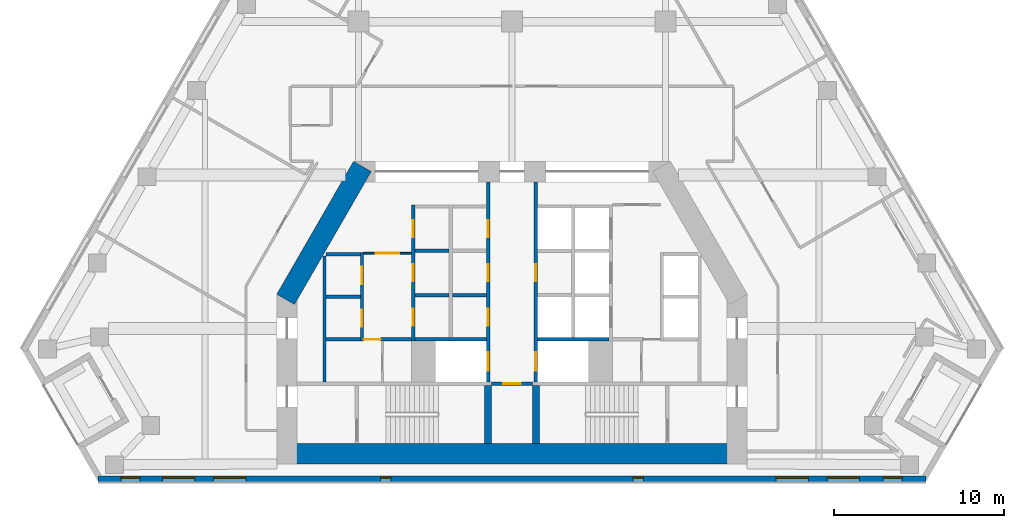
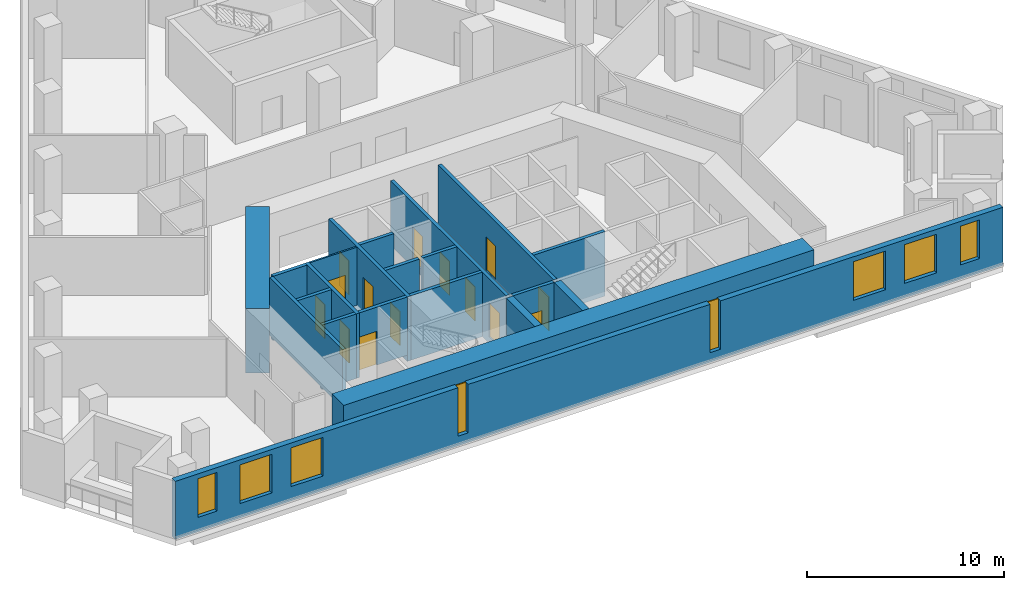
# One storey, part 3 of 8: 21 walls, 14 doors, 8 windows, 22 openings.
"""IFC4 building model written with IfcOpenShell, lengths in metres."""

import ifcopenshell
import ifcopenshell.guid

model = None  # the IFC model being written
_history = None  # IfcOwnerHistory: only IFC2X3 demands one
_inside = {}  # id of a spatial element -> (the spatial element, [elements in it])
_under = {}  # id of a project, library or spatial element -> (it, [spatial elements below it])
_declared = {}  # id of a project -> (the project, [libraries it declares])
_typed = {}  # id of a type object -> (the type object, [elements of that type])
_made_of = {}  # id of a material, layer set ... -> (it, [elements and type objects made of it])


def new_model(schema):
    """Start an empty IFC model of exactly this schema.

    Asked for "IFC4X3", IfcOpenShell would pick the latest addendum, in which some entities
    have other attributes; the version numbers below select the first issue.
    IFC2X3 requires an IfcOwnerHistory on every rooted entity: one is made here for all.
    """
    global model, _history
    if schema == "IFC4X3":
        model = ifcopenshell.file(schema_version=(4, 3, 0, 0))
    else:
        model = ifcopenshell.file(schema=schema)
    _inside.clear()
    _under.clear()
    _declared.clear()
    _typed.clear()
    _made_of.clear()
    _history = None
    if model.schema == "IFC2X3":
        org = make("IfcOrganization", Name="unknown")
        user = make(
            "IfcPersonAndOrganization",
            ThePerson=make("IfcPerson", FamilyName="unknown"),
            TheOrganization=org,
        )
        app = make(
            "IfcApplication",
            ApplicationDeveloper=org,
            Version="unknown",
            ApplicationFullName="unknown",
            ApplicationIdentifier="unknown",
        )
        _history = make(
            "IfcOwnerHistory",
            OwningUser=user,
            OwningApplication=app,
            ChangeAction="ADDED",
            CreationDate=0,
        )
    return model


def make(cls, **values):
    """One entity of the class cls with the attributes given. An attribute that is None is left unset."""
    return model.create_entity(
        cls, **{name: value for name, value in values.items() if value is not None}
    )


def rooted(cls, **values):
    """An entity with a GlobalId (a new one), such as an element, a storey or a relation."""
    return make(cls, GlobalId=ifcopenshell.guid.new(), OwnerHistory=_history, **values)


def si_unit(unit_type, name, prefix=None):
    """IfcSIUnit, for example si_unit("LENGTHUNIT", "METRE", prefix="MILLI")."""
    return make("IfcSIUnit", UnitType=unit_type, Prefix=prefix, Name=name)


def assignment(units):
    """IfcUnitAssignment: the units of a project."""
    return None if units is None else make("IfcUnitAssignment", Units=units)


def point(xyz):
    """IfcCartesianPoint."""
    return None if xyz is None else make("IfcCartesianPoint", Coordinates=xyz)


def direction(xyz):
    """IfcDirection."""
    return None if xyz is None else make("IfcDirection", DirectionRatios=xyz)


def frame(location, z_axis=None, x_axis=None):
    """IfcAxis2Placement3D, a coordinate frame: its origin and axes. An axis left out is left unset."""
    return make(
        "IfcAxis2Placement3D",
        Location=point(location),
        Axis=direction(z_axis),
        RefDirection=direction(x_axis),
    )


def frame_2d(location, x_axis=None):
    """IfcAxis2Placement2D, a coordinate frame in the plane: its origin and x axis."""
    return make(
        "IfcAxis2Placement2D", Location=point(location), RefDirection=direction(x_axis)
    )


def origin():
    """The frame at (0, 0, 0) with its axes left unset."""
    return frame((0.0, 0.0, 0.0))


def place(relative_to, where):
    """IfcLocalPlacement: puts the frame where relative to a parent placement (None: the world)."""
    return make(
        "IfcLocalPlacement", PlacementRelTo=relative_to, RelativePlacement=where
    )


def context(
    kind, dimensions, precision=None, world=None, true_north=None, identifier=None
):
    """IfcGeometricRepresentationContext, for example the 3D "Model" context."""
    return make(
        "IfcGeometricRepresentationContext",
        ContextIdentifier=identifier,
        ContextType=kind,
        CoordinateSpaceDimension=dimensions,
        Precision=precision,
        WorldCoordinateSystem=world,
        TrueNorth=true_north,
    )


def subcontext(parent, identifier, kind, view, scale=None):
    """IfcGeometricRepresentationSubContext, for example "Body" below "Model"."""
    return make(
        "IfcGeometricRepresentationSubContext",
        ContextIdentifier=identifier,
        ContextType=kind,
        ParentContext=parent,
        TargetScale=scale,
        TargetView=view,
    )


def project(units=None, contexts=None):
    """IfcProject with its units and contexts."""
    return rooted(
        "IfcProject",
        Name="project",
        RepresentationContexts=contexts,
        UnitsInContext=assignment(units),
    )


def spatial(cls, under=None, at=None, **own):
    """A site, building, storey or space (cls), placed at a placement, below another one or the project."""
    s = rooted(cls, ObjectPlacement=at, **own)
    if under is not None:
        _under.setdefault(under.id(), (under, []))[1].append(s)
    return s


def profile(cls, at=None, kind="AREA", **sizes):
    """A parametric profile (cls). Its sizes go by their IFC names, for example OverallWidth=200.0."""
    return make(cls, ProfileType=kind, Position=at, **sizes)


def rectangle(**sizes):
    """IfcRectangleProfileDef."""
    return profile("IfcRectangleProfileDef", **sizes)


def extrude(swept, where, along, depth):
    """IfcExtrudedAreaSolid: the profile swept, set in the frame where, extruded along a direction by depth."""
    return make(
        "IfcExtrudedAreaSolid",
        SweptArea=swept,
        Position=where,
        ExtrudedDirection=direction(along),
        Depth=depth,
    )


def shape(context_of_items, identifier, shape_type, items):
    """IfcShapeRepresentation: the items that make up one representation, for example the "Body"."""
    return make(
        "IfcShapeRepresentation",
        ContextOfItems=context_of_items,
        RepresentationIdentifier=identifier,
        RepresentationType=shape_type,
        Items=items,
    )


def material(Name=None, Category=None):
    """IfcMaterial."""
    return make("IfcMaterial", Name=Name, Category=Category)


def layer(
    of_material, thickness, ventilated=None, Name=None, Category=None, Priority=None
):
    """IfcMaterialLayer: one layer of a wall or slab, of a material (None: an air gap)."""
    return make(
        "IfcMaterialLayer",
        Material=of_material,
        LayerThickness=thickness,
        IsVentilated=ventilated,
        Name=Name,
        Category=Category,
        Priority=Priority,
    )


def layer_set(layers, Name=None):
    """IfcMaterialLayerSet."""
    return make("IfcMaterialLayerSet", MaterialLayers=layers, LayerSetName=Name)


def made_of(thing, what):
    """Note that an element or type object is made of a material, layer set ...; save() writes the relation."""
    if what is not None:
        _made_of.setdefault(what.id(), (what, []))[1].append(thing)
    return thing


def type_object(cls, material=None, **own):
    """A type object (cls), such as IfcWallType, which elements share."""
    return made_of(rooted(cls, **own), material)


def element(
    cls,
    number,
    at=None,
    inside=None,
    cuts=None,
    type_object=None,
    material=None,
    context=None,
    identifier="Body",
    shape_type=None,
    held_by="IfcProductDefinitionShape",
    body=None,
    shapes=None,
    **own,
):
    """One element of the class cls, such as IfcWall. Its Tag is "e" and its number.

    at: its placement. inside: the storey or other place that contains it. cuts: it is an
    opening in that element (IfcRelVoidsElement). A single representation is given by context,
    identifier, shape_type and body (its items); several are given by shapes. held_by: the class
    of the entity that holds the representations. save() writes the other relations.
    """
    e = rooted(cls, Tag="e%d" % number, ObjectPlacement=at, **own)
    if body is not None:
        shapes = [shape(context, identifier, shape_type, body)]
    if shapes is not None:
        e.Representation = make(held_by, Representations=shapes)
    if inside is not None:
        _inside.setdefault(inside.id(), (inside, []))[1].append(e)
    if cuts is not None:
        rooted(
            "IfcRelVoidsElement", RelatingBuildingElement=cuts, RelatedOpeningElement=e
        )
    if type_object is not None:
        _typed.setdefault(type_object.id(), (type_object, []))[1].append(e)
    return made_of(e, material)


def fill(opening, filler):
    """IfcRelFillsElement: the door or window that sits in an opening."""
    return rooted(
        "IfcRelFillsElement",
        RelatingOpeningElement=opening,
        RelatedBuildingElement=filler,
    )


def aggregate(whole, parts):
    """IfcRelAggregates: a whole, such as a stair, and the parts it consists of."""
    return rooted("IfcRelAggregates", RelatingObject=whole, RelatedObjects=parts)


def save(model, path):
    """Write the relations noted so far, then the file.

    IfcRelAggregates (storeys below a building ...), IfcRelContainedInSpatialStructure (elements
    in a storey), IfcRelDefinesByType, IfcRelAssociatesMaterial and IfcRelDeclares: one each for
    every whole, place, type object, material and project.
    """
    for whole, parts in _under.values():
        aggregate(whole, parts)
    for where, things in _inside.values():
        rooted(
            "IfcRelContainedInSpatialStructure",
            RelatedElements=things,
            RelatingStructure=where,
        )
    for kind, things in _typed.values():
        rooted("IfcRelDefinesByType", RelatedObjects=things, RelatingType=kind)
    for what, things in _made_of.values():
        rooted("IfcRelAssociatesMaterial", RelatedObjects=things, RelatingMaterial=what)
    for by, libraries in _declared.values():
        rooted("IfcRelDeclares", RelatingContext=by, RelatedDefinitions=libraries)
    model.write(path)


model = new_model("IFC4")

# Units and contexts
model_context = context("Model", 3, precision=1e-05, world=origin(), true_north=direction((0.0, 1.0)))
body_context = subcontext(model_context, "Body", "Model", "MODEL_VIEW")
ifc_project = project(units=[si_unit("LENGTHUNIT", "METRE"), si_unit("AREAUNIT", "SQUARE_METRE"), si_unit("VOLUMEUNIT", "CUBIC_METRE"), si_unit("PLANEANGLEUNIT", "RADIAN"), si_unit("MASSUNIT", "GRAM", prefix="KILO")], contexts=[model_context])

# Site, building, storey
site_placement = place(None, origin())
site = spatial("IfcSite", under=ifc_project, at=site_placement, CompositionType="ELEMENT")
building_placement = place(site_placement, origin())
building = spatial("IfcBuilding", under=site, at=building_placement, Name="Fogline Exchange Tower", CompositionType="ELEMENT")
storey_placement = place(building_placement, frame((0.0, 0.0, 154.89990234375)))
storey = spatial("IfcBuildingStorey", under=building, at=storey_placement, Name="L34", CompositionType="ELEMENT", Elevation=154.89990234375)

# Wall, opening, door
ifc_material_1 = material(Name="Blockwork partition", Category="masonry")
ifc_layer_1 = layer(ifc_material_1, 0.10009765625)
ifc_layer_set_1 = layer_set([ifc_layer_1], Name="CW10")
wall_type_1 = type_object("IfcWallType", Name="CW10", PredefinedType="PARTITIONING", material=ifc_layer_set_1)
wall_1_placement = place(storey_placement, frame((-8.699951171875, 13.39990234375, 0.0), z_axis=(0.0, 0.0, 1.0), x_axis=(1.0, 0.0, 0.0)))
wall_1 = element("IfcWall", 1, at=wall_1_placement, inside=storey, type_object=wall_type_1, Name="Lift lobby partition", PredefinedType="PARTITIONING", context=body_context, shape_type="SweptSolid", body=[
    extrude(rectangle(XDim=2.800048828125, YDim=0.10009765625, at=frame_2d((1.39990234375, 0.0))), origin(), (0.0, 0.0, 1.0), 3.60009765625),
])
opening_1_placement = place(wall_1_placement, frame((0.699951171875, 0.0, 0.0)))
opening_1 = element("IfcOpeningElement", 2, at=opening_1_placement, cuts=wall_1, Name="Opening T11-C011", PredefinedType="OPENING", context=body_context, shape_type="SweptSolid", body=[
    extrude(rectangle(XDim=1.39990234375, YDim=2.10009765625, at=frame_2d((0.699951171875, 1.050048828125))), frame((0.0, 0.06005859375, 0.0), z_axis=(0.0, -1.0, 0.0), x_axis=(1.0, 0.0, 0.0)), (0.0, 0.0, 1.0), 0.1201171875),
])
ifc_material_2 = material(Name="Steel and timber fire door", Category="steel")
door_type_1 = type_object("IfcDoorType", Name="D-LB1", OperationType="DOUBLE_DOOR_SINGLE_SWING", PredefinedType="DOOR", material=ifc_material_2)
door_1_placement = place(opening_1_placement, frame((1.39990234375, 0.0, 0.0), z_axis=(0.0, 0.0, 1.0), x_axis=(-1.0, 0.0, 0.0)))
door_1 = element("IfcDoor", 3, at=door_1_placement, inside=storey, type_object=door_type_1, Name="Door to lift lobby", OperationType="DOUBLE_DOOR_SINGLE_SWING", OverallHeight=2.10009765625, OverallWidth=1.39990234375, PredefinedType="DOOR", context=body_context, shape_type="SweptSolid", body=[
    extrude(rectangle(XDim=1.39990234375, YDim=2.10009765625, at=frame_2d((0.699951171875, 1.050048828125))), frame((0.0, 0.02490234375, 0.0), z_axis=(0.0, -1.0, 0.0), x_axis=(1.0, 0.0, 0.0)), (0.0, 0.0, 1.0), 0.050048828125),
])
fill(opening_1, door_1)

# Walls
ifc_material_3 = material(Name="Concrete C40", Category="concrete")
ifc_layer_2 = layer(ifc_material_3, 0.199951171875)
ifc_layer_set_2 = layer_set([ifc_layer_2], Name="CW20")
wall_type_2 = type_object("IfcWallType", Name="CW20", PredefinedType="SOLIDWALL", material=ifc_layer_set_2)
wall_2_placement = place(storey_placement, frame((-11.0, 5.85009765625, 0.0), z_axis=(0.0, 0.0, 1.0), x_axis=(0.0, 1.0, 0.0)))
element("IfcWall", 4, at=wall_2_placement, inside=storey, type_object=wall_type_2, Name="Service room wall", PredefinedType="SOLIDWALL", context=body_context, shape_type="SweptSolid", body=[
    extrude(rectangle(XDim=7.39990234375, YDim=0.199951171875, at=frame_2d((3.699951171875, 0.0))), origin(), (0.0, 0.0, 1.0), 3.60009765625),
])
for number, where, z_axis, x_axis, name in (
    (5, (-10.89990234375, 10.85009765625, 0.0), (0.0, 0.0, 1.0), (1.0, 0.0, 0.0), "Service room wall"),
    (6, (-5.699951171875, 10.949951171875, 0.0), (0.0, 0.0, 1.0), (1.0, 0.0, 0.0), "Service room wall"),
    (7, (-5.699951171875, 13.550048828125, 0.0), (0.0, 0.0, 1.0), (1.0, 0.0, 0.0), "Service room wall"),
    (8, (-3.5, 10.949951171875, 0.0), (0.0, 0.0, 1.0), (1.0, 0.0, 0.0), "Service room wall"),
):
    element("IfcWall", number, at=place(storey_placement, frame(where, z_axis=z_axis, x_axis=x_axis)), inside=storey, type_object=wall_type_2, Name=name, PredefinedType="SOLIDWALL", context=body_context, shape_type="SweptSolid", body=[
        extrude(rectangle(XDim=2.0, YDim=0.199951171875, at=frame_2d((1.0, 0.0))), origin(), (0.0, 0.0, 1.0), 3.60009765625),
    ])

# Wall, opening, door
wall_3_placement = place(storey_placement, frame((-8.699951171875, 8.35009765625, 0.0), z_axis=(0.0, 0.0, 1.0), x_axis=(1.0, 0.0, 0.0)))
wall_3 = element("IfcWall", 9, at=wall_3_placement, inside=storey, type_object=wall_type_2, Name="WC wall", PredefinedType="SOLIDWALL", context=body_context, shape_type="SweptSolid", body=[
    extrude(rectangle(XDim=2.800048828125, YDim=0.199951171875, at=frame_2d((1.39990234375, 0.0))), origin(), (0.0, 0.0, 1.0), 3.60009765625),
])
opening_2_placement = place(wall_3_placement, origin())
opening_2 = element("IfcOpeningElement", 10, at=opening_2_placement, cuts=wall_3, Name="Opening T11-C012", PredefinedType="OPENING", context=body_context, shape_type="SweptSolid", body=[
    extrude(rectangle(XDim=1.0, YDim=2.10009765625, at=frame_2d((0.5, 1.050048828125))), frame((0.0, 0.10986328125, 0.0), z_axis=(0.0, -1.0, 0.0), x_axis=(1.0, 0.0, 0.0)), (0.0, 0.0, 1.0), 0.219970703125),
])
door_type_2 = type_object("IfcDoorType", Name="D-WC1", OperationType="SINGLE_SWING_LEFT", PredefinedType="DOOR", material=ifc_material_2)
door_2_placement = place(opening_2_placement, frame((1.0, 0.0, 0.0), z_axis=(0.0, 0.0, 1.0), x_axis=(-1.0, 0.0, 0.0)))
door_2 = element("IfcDoor", 11, at=door_2_placement, inside=storey, type_object=door_type_2, Name="Door to Men's WC", OperationType="SINGLE_SWING_LEFT", OverallHeight=2.10009765625, OverallWidth=1.0, PredefinedType="DOOR", context=body_context, shape_type="SweptSolid", body=[
    extrude(rectangle(XDim=1.0, YDim=2.10009765625, at=frame_2d((0.5, 1.050048828125))), frame((0.0, 0.02490234375, 0.0), z_axis=(0.0, -1.0, 0.0), x_axis=(1.0, 0.0, 0.0)), (0.0, 0.0, 1.0), 0.050048828125),
])
fill(opening_2, door_2)

ifc_layer_3 = layer(ifc_material_3, 0.199951171875)
ifc_layer_set_3 = layer_set([ifc_layer_3], Name="CW20R")
wall_type_3 = type_object("IfcWallType", Name="CW20R", PredefinedType="SOLIDWALL", material=ifc_layer_set_3)
wall_4_placement = place(storey_placement, frame((-1.199951171875, 5.75, -0.39990234375), z_axis=(0.0, 0.0, 1.0), x_axis=(1.0, 0.0, 0.0)))
wall_4 = element("IfcWall", 12, at=wall_4_placement, inside=storey, type_object=wall_type_3, Name="Stair enclosure wall", PredefinedType="SOLIDWALL", context=body_context, shape_type="SweptSolid", body=[
    extrude(rectangle(XDim=2.39990234375, YDim=0.199951171875, at=frame_2d((1.199951171875, 0.0))), origin(), (0.0, 0.0, 1.0), 4.0),
])
opening_3_placement = place(wall_4_placement, frame((0.699951171875, 0.0, 0.39990234375)))
opening_3 = element("IfcOpeningElement", 13, at=opening_3_placement, cuts=wall_4, Name="Opening T11-C010", PredefinedType="OPENING", context=body_context, shape_type="SweptSolid", body=[
    extrude(rectangle(XDim=1.0, YDim=2.10009765625, at=frame_2d((0.5, 1.050048828125))), frame((0.0, 0.10986328125, 0.0), z_axis=(0.0, -1.0, 0.0), x_axis=(1.0, 0.0, 0.0)), (0.0, 0.0, 1.0), 0.219970703125),
])
door_type_3 = type_object("IfcDoorType", Name="D-RM1", OperationType="SINGLE_SWING_LEFT", PredefinedType="DOOR", material=ifc_material_2)
door_3_placement = place(opening_3_placement, frame((1.0, 0.0, 0.0), z_axis=(0.0, 0.0, 1.0), x_axis=(-1.0, 0.0, 0.0)))
door_3 = element("IfcDoor", 14, at=door_3_placement, inside=storey, type_object=door_type_3, Name="Door to Library Store", OperationType="SINGLE_SWING_RIGHT", OverallHeight=2.10009765625, OverallWidth=1.0, PredefinedType="DOOR", context=body_context, shape_type="SweptSolid", body=[
    extrude(rectangle(XDim=1.0, YDim=2.10009765625, at=frame_2d((0.5, 1.050048828125))), frame((0.0, 0.02490234375, 0.0), z_axis=(0.0, -1.0, 0.0), x_axis=(1.0, 0.0, 0.0)), (0.0, 0.0, 1.0), 0.050048828125),
])
fill(opening_3, door_3)

# Wall, openings, doors
ifc_layer_4 = layer(ifc_material_3, 0.199951171875)
ifc_layer_set_4 = layer_set([ifc_layer_4], Name="CW20S")
wall_type_4 = type_object("IfcWallType", Name="CW20S", PredefinedType="SOLIDWALL", material=ifc_layer_set_4)
wall_5_placement = place(storey_placement, frame((-8.800048828125, 8.25, -0.39990234375), z_axis=(0.0, 0.0, 1.0), x_axis=(0.0, 1.0, 0.0)))
wall_5 = element("IfcWall", 15, at=wall_5_placement, inside=storey, type_object=wall_type_4, Name="Lift shaft wall", PredefinedType="SOLIDWALL", context=body_context, shape_type="SweptSolid", body=[
    extrude(rectangle(XDim=5.199951171875, YDim=0.199951171875, at=frame_2d((2.60009765625, 0.0))), origin(), (0.0, 0.0, 1.0), 4.0),
])
opening_4_placement = place(wall_5_placement, frame((0.85009765625, 0.0, 0.39990234375)))
opening_4 = element("IfcOpeningElement", 16, at=opening_4_placement, cuts=wall_5, Name="Opening T11-C001", PredefinedType="OPENING", context=body_context, shape_type="SweptSolid", body=[
    extrude(rectangle(XDim=1.0, YDim=2.10009765625, at=frame_2d((0.5, 1.050048828125))), frame((0.0, 0.10986328125, 0.0), z_axis=(0.0, -1.0, 0.0), x_axis=(1.0, 0.0, 0.0)), (0.0, 0.0, 1.0), 0.219970703125),
])
opening_5_placement = place(wall_5_placement, frame((3.35009765625, 0.0, 0.39990234375)))
opening_5 = element("IfcOpeningElement", 17, at=opening_5_placement, cuts=wall_5, Name="Opening T11-C002", PredefinedType="OPENING", context=body_context, shape_type="SweptSolid", body=[
    extrude(rectangle(XDim=1.0, YDim=2.10009765625, at=frame_2d((0.5, 1.050048828125))), frame((0.0, 0.10986328125, 0.0), z_axis=(0.0, -1.0, 0.0), x_axis=(1.0, 0.0, 0.0)), (0.0, 0.0, 1.0), 0.219970703125),
])
door_4_placement = place(opening_4_placement, origin())
door_4 = element("IfcDoor", 18, at=door_4_placement, inside=storey, type_object=door_type_3, Name="Door to Riser Room", OperationType="SINGLE_SWING_RIGHT", OverallHeight=2.10009765625, OverallWidth=1.0, PredefinedType="DOOR", context=body_context, shape_type="SweptSolid", body=[
    extrude(rectangle(XDim=1.0, YDim=2.10009765625, at=frame_2d((0.5, 1.050048828125))), frame((0.0, 0.02490234375, 0.0), z_axis=(0.0, -1.0, 0.0), x_axis=(1.0, 0.0, 0.0)), (0.0, 0.0, 1.0), 0.050048828125),
])
fill(opening_4, door_4)
door_5_placement = place(opening_5_placement, origin())
door_5 = element("IfcDoor", 19, at=door_5_placement, inside=storey, type_object=door_type_3, Name="Door to Plant Room", OperationType="SINGLE_SWING_RIGHT", OverallHeight=2.10009765625, OverallWidth=1.0, PredefinedType="DOOR", context=body_context, shape_type="SweptSolid", body=[
    extrude(rectangle(XDim=1.0, YDim=2.10009765625, at=frame_2d((0.5, 1.050048828125))), frame((0.0, 0.02490234375, 0.0), z_axis=(0.0, -1.0, 0.0), x_axis=(1.0, 0.0, 0.0)), (0.0, 0.0, 1.0), 0.050048828125),
])
fill(opening_5, door_5)

wall_6_placement = place(storey_placement, frame((-5.800048828125, 8.25, -0.39990234375), z_axis=(0.0, 0.0, 1.0), x_axis=(0.0, 1.0, 0.0)))
wall_6 = element("IfcWall", 20, at=wall_6_placement, inside=storey, type_object=wall_type_4, Name="Lift shaft wall", PredefinedType="SOLIDWALL", context=body_context, shape_type="SweptSolid", body=[
    extrude(rectangle(XDim=8.0, YDim=0.199951171875, at=frame_2d((4.0, 0.0))), origin(), (0.0, 0.0, 1.0), 4.0),
])
opening_6_placement = place(wall_6_placement, frame((0.89990234375, 0.0, 0.39990234375)))
opening_6 = element("IfcOpeningElement", 21, at=opening_6_placement, cuts=wall_6, Name="Opening T11-C003", PredefinedType="OPENING", context=body_context, shape_type="SweptSolid", body=[
    extrude(rectangle(XDim=1.0, YDim=2.10009765625, at=frame_2d((0.5, 1.050048828125))), frame((0.0, 0.10986328125, 0.0), z_axis=(0.0, -1.0, 0.0), x_axis=(1.0, 0.0, 0.0)), (0.0, 0.0, 1.0), 0.219970703125),
])
opening_7_placement = place(wall_6_placement, frame((3.5, 0.0, 0.39990234375)))
opening_7 = element("IfcOpeningElement", 22, at=opening_7_placement, cuts=wall_6, Name="Opening T11-C004", PredefinedType="OPENING", context=body_context, shape_type="SweptSolid", body=[
    extrude(rectangle(XDim=1.0, YDim=2.10009765625, at=frame_2d((0.5, 1.050048828125))), frame((0.0, 0.10986328125, 0.0), z_axis=(0.0, -1.0, 0.0), x_axis=(1.0, 0.0, 0.0)), (0.0, 0.0, 1.0), 0.219970703125),
])
opening_8_placement = place(wall_6_placement, frame((6.10009765625, 0.0, 0.39990234375)))
opening_8 = element("IfcOpeningElement", 23, at=opening_8_placement, cuts=wall_6, Name="Opening T11-C005", PredefinedType="OPENING", context=body_context, shape_type="SweptSolid", body=[
    extrude(rectangle(XDim=1.0, YDim=2.10009765625, at=frame_2d((0.5, 1.050048828125))), frame((0.0, 0.10986328125, 0.0), z_axis=(0.0, -1.0, 0.0), x_axis=(1.0, 0.0, 0.0)), (0.0, 0.0, 1.0), 0.219970703125),
])
door_6_placement = place(opening_6_placement, frame((1.0, 0.0, 0.0), z_axis=(0.0, 0.0, 1.0), x_axis=(-1.0, 0.0, 0.0)))
door_6 = element("IfcDoor", 24, at=door_6_placement, inside=storey, type_object=door_type_3, Name="Door to Cable Store", OperationType="SINGLE_SWING_LEFT", OverallHeight=2.10009765625, OverallWidth=1.0, PredefinedType="DOOR", context=body_context, shape_type="SweptSolid", body=[
    extrude(rectangle(XDim=1.0, YDim=2.10009765625, at=frame_2d((0.5, 1.050048828125))), frame((0.0, 0.02490234375, 0.0), z_axis=(0.0, -1.0, 0.0), x_axis=(1.0, 0.0, 0.0)), (0.0, 0.0, 1.0), 0.050048828125),
])
fill(opening_6, door_6)
door_7_placement = place(opening_7_placement, frame((1.0, 0.0, 0.0), z_axis=(0.0, 0.0, 1.0), x_axis=(-1.0, 0.0, 0.0)))
door_7 = element("IfcDoor", 25, at=door_7_placement, inside=storey, type_object=door_type_3, Name="Door to Server Room", OperationType="SINGLE_SWING_RIGHT", OverallHeight=2.10009765625, OverallWidth=1.0, PredefinedType="DOOR", context=body_context, shape_type="SweptSolid", body=[
    extrude(rectangle(XDim=1.0, YDim=2.10009765625, at=frame_2d((0.5, 1.050048828125))), frame((0.0, 0.02490234375, 0.0), z_axis=(0.0, -1.0, 0.0), x_axis=(1.0, 0.0, 0.0)), (0.0, 0.0, 1.0), 0.050048828125),
])
fill(opening_7, door_7)
door_8_placement = place(opening_8_placement, frame((1.0, 0.0, 0.0), z_axis=(0.0, 0.0, 1.0), x_axis=(-1.0, 0.0, 0.0)))
door_8 = element("IfcDoor", 26, at=door_8_placement, inside=storey, type_object=door_type_3, Name="Door to Archive Store", OperationType="SINGLE_SWING_RIGHT", OverallHeight=2.10009765625, OverallWidth=1.0, PredefinedType="DOOR", context=body_context, shape_type="SweptSolid", body=[
    extrude(rectangle(XDim=1.0, YDim=2.10009765625, at=frame_2d((0.5, 1.050048828125))), frame((0.0, 0.02490234375, 0.0), z_axis=(0.0, -1.0, 0.0), x_axis=(1.0, 0.0, 0.0)), (0.0, 0.0, 1.0), 0.050048828125),
])
fill(opening_8, door_8)

wall_7_placement = place(storey_placement, frame((-1.39990234375, 5.85009765625, -0.39990234375), z_axis=(0.0, 0.0, 1.0), x_axis=(0.0, 1.0, 0.0)))
wall_7 = element("IfcWall", 27, at=wall_7_placement, inside=storey, type_object=wall_type_4, Name="Lift lobby wall", PredefinedType="SOLIDWALL", context=body_context, shape_type="SweptSolid", body=[
    extrude(rectangle(XDim=11.75, YDim=0.199951171875, at=frame_2d((5.875, 0.0))), origin(), (0.0, 0.0, 1.0), 4.0),
])
opening_9_placement = place(wall_7_placement, frame((0.64990234375, 0.0, 0.39990234375)))
opening_9 = element("IfcOpeningElement", 28, at=opening_9_placement, cuts=wall_7, Name="Opening T11-LD01", PredefinedType="OPENING", context=body_context, shape_type="SweptSolid", body=[
    extrude(rectangle(XDim=1.10009765625, YDim=2.10009765625, at=frame_2d((0.550048828125, 1.050048828125))), frame((0.0, 0.10986328125, 0.0), z_axis=(0.0, -1.0, 0.0), x_axis=(1.0, 0.0, 0.0)), (0.0, 0.0, 1.0), 0.219970703125),
])
opening_10_placement = place(wall_7_placement, frame((3.300048828125, 0.0, 0.39990234375)))
opening_10 = element("IfcOpeningElement", 29, at=opening_10_placement, cuts=wall_7, Name="Opening T11-C006", PredefinedType="OPENING", context=body_context, shape_type="SweptSolid", body=[
    extrude(rectangle(XDim=1.0, YDim=2.10009765625, at=frame_2d((0.5, 1.050048828125))), frame((0.0, 0.10986328125, 0.0), z_axis=(0.0, -1.0, 0.0), x_axis=(1.0, 0.0, 0.0)), (0.0, 0.0, 1.0), 0.219970703125),
])
opening_11_placement = place(wall_7_placement, frame((5.89990234375, 0.0, 0.39990234375)))
opening_11 = element("IfcOpeningElement", 30, at=opening_11_placement, cuts=wall_7, Name="Opening T11-C007", PredefinedType="OPENING", context=body_context, shape_type="SweptSolid", body=[
    extrude(rectangle(XDim=1.0, YDim=2.10009765625, at=frame_2d((0.5, 1.050048828125))), frame((0.0, 0.10986328125, 0.0), z_axis=(0.0, -1.0, 0.0), x_axis=(1.0, 0.0, 0.0)), (0.0, 0.0, 1.0), 0.219970703125),
])
opening_12_placement = place(wall_7_placement, frame((8.5, 0.0, 0.39990234375)))
opening_12 = element("IfcOpeningElement", 31, at=opening_12_placement, cuts=wall_7, Name="Opening T11-C008", PredefinedType="OPENING", context=body_context, shape_type="SweptSolid", body=[
    extrude(rectangle(XDim=1.0, YDim=2.10009765625, at=frame_2d((0.5, 1.050048828125))), frame((0.0, 0.10986328125, 0.0), z_axis=(0.0, -1.0, 0.0), x_axis=(1.0, 0.0, 0.0)), (0.0, 0.0, 1.0), 0.219970703125),
])
door_9_placement = place(opening_10_placement, origin())
door_9 = element("IfcDoor", 32, at=door_9_placement, inside=storey, type_object=door_type_3, Name="Door to Library Store", OperationType="SINGLE_SWING_LEFT", OverallHeight=2.10009765625, OverallWidth=1.0, PredefinedType="DOOR", context=body_context, shape_type="SweptSolid", body=[
    extrude(rectangle(XDim=1.0, YDim=2.10009765625, at=frame_2d((0.5, 1.050048828125))), frame((0.0, 0.02490234375, 0.0), z_axis=(0.0, -1.0, 0.0), x_axis=(1.0, 0.0, 0.0)), (0.0, 0.0, 1.0), 0.050048828125),
])
fill(opening_10, door_9)
door_10_placement = place(opening_11_placement, origin())
door_10 = element("IfcDoor", 33, at=door_10_placement, inside=storey, type_object=door_type_3, Name="Door to Stationery Store", OperationType="SINGLE_SWING_LEFT", OverallHeight=2.10009765625, OverallWidth=1.0, PredefinedType="DOOR", context=body_context, shape_type="SweptSolid", body=[
    extrude(rectangle(XDim=1.0, YDim=2.10009765625, at=frame_2d((0.5, 1.050048828125))), frame((0.0, 0.02490234375, 0.0), z_axis=(0.0, -1.0, 0.0), x_axis=(1.0, 0.0, 0.0)), (0.0, 0.0, 1.0), 0.050048828125),
])
fill(opening_11, door_10)
door_11_placement = place(opening_12_placement, origin())
door_11 = element("IfcDoor", 34, at=door_11_placement, inside=storey, type_object=door_type_3, Name="Door to Records Store", OperationType="SINGLE_SWING_LEFT", OverallHeight=2.10009765625, OverallWidth=1.0, PredefinedType="DOOR", context=body_context, shape_type="SweptSolid", body=[
    extrude(rectangle(XDim=1.0, YDim=2.10009765625, at=frame_2d((0.5, 1.050048828125))), frame((0.0, 0.02490234375, 0.0), z_axis=(0.0, -1.0, 0.0), x_axis=(1.0, 0.0, 0.0)), (0.0, 0.0, 1.0), 0.050048828125),
])
fill(opening_12, door_11)
door_type_4 = type_object("IfcDoorType", Name="LD2", OperationType="SLIDING_TO_RIGHT", PredefinedType="DOOR", material=ifc_material_2)
door_12_placement = place(opening_9_placement, origin())
door_12 = element("IfcDoor", 35, at=door_12_placement, inside=storey, type_object=door_type_4, Name="Landing door FF1", OperationType="SLIDING_TO_RIGHT", OverallHeight=2.10009765625, OverallWidth=1.10009765625, PredefinedType="DOOR", context=body_context, shape_type="SweptSolid", body=[
    extrude(rectangle(XDim=1.10009765625, YDim=2.10009765625, at=frame_2d((0.550048828125, 1.050048828125))), frame((0.0, 0.02490234375, 0.0), z_axis=(0.0, -1.0, 0.0), x_axis=(1.0, 0.0, 0.0)), (0.0, 0.0, 1.0), 0.050048828125),
])
fill(opening_9, door_12)

wall_8_placement = place(storey_placement, frame((1.39990234375, 5.85009765625, -0.39990234375), z_axis=(0.0, 0.0, 1.0), x_axis=(0.0, 1.0, 0.0)))
wall_8 = element("IfcWall", 36, at=wall_8_placement, inside=storey, type_object=wall_type_4, Name="Lift lobby wall", PredefinedType="SOLIDWALL", context=body_context, shape_type="SweptSolid", body=[
    extrude(rectangle(XDim=11.75, YDim=0.199951171875, at=frame_2d((5.875, 0.0))), origin(), (0.0, 0.0, 1.0), 4.0),
])
opening_13_placement = place(wall_8_placement, frame((0.64990234375, 0.0, 0.39990234375)))
opening_13 = element("IfcOpeningElement", 37, at=opening_13_placement, cuts=wall_8, Name="Opening T11-LD05", PredefinedType="OPENING", context=body_context, shape_type="SweptSolid", body=[
    extrude(rectangle(XDim=1.10009765625, YDim=2.10009765625, at=frame_2d((0.550048828125, 1.050048828125))), frame((0.0, 0.10986328125, 0.0), z_axis=(0.0, -1.0, 0.0), x_axis=(1.0, 0.0, 0.0)), (0.0, 0.0, 1.0), 0.219970703125),
])
opening_14_placement = place(wall_8_placement, frame((5.89990234375, 0.0, 0.39990234375)))
opening_14 = element("IfcOpeningElement", 38, at=opening_14_placement, cuts=wall_8, Name="Opening T11-C009", PredefinedType="OPENING", context=body_context, shape_type="SweptSolid", body=[
    extrude(rectangle(XDim=1.0, YDim=2.10009765625, at=frame_2d((0.5, 1.050048828125))), frame((0.0, 0.10986328125, 0.0), z_axis=(0.0, -1.0, 0.0), x_axis=(1.0, 0.0, 0.0)), (0.0, 0.0, 1.0), 0.219970703125),
])
door_13_placement = place(opening_14_placement, frame((1.0, 0.0, 0.0), z_axis=(0.0, 0.0, 1.0), x_axis=(-1.0, 0.0, 0.0)))
door_13 = element("IfcDoor", 39, at=door_13_placement, inside=storey, type_object=door_type_3, Name="Door to Server Room", OperationType="SINGLE_SWING_RIGHT", OverallHeight=2.10009765625, OverallWidth=1.0, PredefinedType="DOOR", context=body_context, shape_type="SweptSolid", body=[
    extrude(rectangle(XDim=1.0, YDim=2.10009765625, at=frame_2d((0.5, 1.050048828125))), frame((0.0, 0.02490234375, 0.0), z_axis=(0.0, -1.0, 0.0), x_axis=(1.0, 0.0, 0.0)), (0.0, 0.0, 1.0), 0.050048828125),
])
fill(opening_14, door_13)
door_14_placement = place(opening_13_placement, origin())
door_14 = element("IfcDoor", 40, at=door_14_placement, inside=storey, type_object=door_type_4, Name="Landing door FF2", OperationType="SLIDING_TO_RIGHT", OverallHeight=2.10009765625, OverallWidth=1.10009765625, PredefinedType="DOOR", context=body_context, shape_type="SweptSolid", body=[
    extrude(rectangle(XDim=1.10009765625, YDim=2.10009765625, at=frame_2d((0.550048828125, 1.050048828125))), frame((0.0, 0.02490234375, 0.0), z_axis=(0.0, -1.0, 0.0), x_axis=(1.0, 0.0, 0.0)), (0.0, 0.0, 1.0), 0.050048828125),
])
fill(opening_13, door_14)

# Walls
wall_9_placement = place(storey_placement, frame((-10.89990234375, 8.35009765625, -0.39990234375), z_axis=(0.0, 0.0, 1.0), x_axis=(1.0, 0.0, 0.0)))
element("IfcWall", 41, at=wall_9_placement, inside=storey, type_object=wall_type_4, Name="Lift shaft wall", PredefinedType="SOLIDWALL", context=body_context, shape_type="SweptSolid", body=[
    extrude(rectangle(XDim=2.0, YDim=0.199951171875, at=frame_2d((1.0, 0.0))), origin(), (0.0, 0.0, 1.0), 4.0),
])
for number, where, z_axis, x_axis, name in (
    (42, (-5.699951171875, 8.35009765625, -0.39990234375), (0.0, 0.0, 1.0), (1.0, 0.0, 0.0), "Lift shaft wall"),
    (43, (1.5, 8.35009765625, -0.39990234375), (0.0, 0.0, 1.0), (1.0, 0.0, 0.0), "Lift shaft wall"),
):
    element("IfcWall", number, at=place(storey_placement, frame(where, z_axis=z_axis, x_axis=x_axis)), inside=storey, type_object=wall_type_4, Name=name, PredefinedType="SOLIDWALL", context=body_context, shape_type="SweptSolid", body=[
        extrude(rectangle(XDim=4.199951171875, YDim=0.199951171875, at=frame_2d((2.10009765625, 0.0))), origin(), (0.0, 0.0, 1.0), 4.0),
    ])
wall_10_placement = place(storey_placement, frame((-10.89990234375, 13.35009765625, -0.39990234375), z_axis=(0.0, 0.0, 1.0), x_axis=(1.0, 0.0, 0.0)))
element("IfcWall", 44, at=wall_10_placement, inside=storey, type_object=wall_type_4, Name="Lift shaft wall", PredefinedType="SOLIDWALL", context=body_context, shape_type="SweptSolid", body=[
    extrude(rectangle(XDim=2.0, YDim=0.199951171875, at=frame_2d((1.0, 0.0))), origin(), (0.0, 0.0, 1.0), 4.0),
])
ifc_layer_5 = layer(ifc_material_3, 0.39990234375)
ifc_layer_set_5 = layer_set([ifc_layer_5], Name="CW40R")
wall_type_5 = type_object("IfcWallType", Name="CW40R", PredefinedType="SOLIDWALL", material=ifc_layer_set_5)
for number, where, z_axis, x_axis, name in (
    (45, (-1.39990234375, 2.25, -0.39990234375), (0.0, 0.0, 1.0), (0.0, 1.0, 0.0), "Stair and lift shaft wall"),
    (46, (1.39990234375, 2.25, -0.39990234375), (0.0, 0.0, 1.0), (0.0, 1.0, 0.0), "Stair and lift shaft wall"),
):
    element("IfcWall", number, at=place(storey_placement, frame(where, z_axis=z_axis, x_axis=x_axis)), inside=storey, type_object=wall_type_5, Name=name, PredefinedType="SOLIDWALL", context=body_context, shape_type="SweptSolid", body=[
        extrude(rectangle(XDim=3.39990234375, YDim=0.39990234375, at=frame_2d((1.699951171875, 0.0))), origin(), (0.0, 0.0, 1.0), 4.0),
    ])

# Wall, openings, windows
ifc_material_4 = material(Name="Brick masonry", Category="masonry")
ifc_layer_6 = layer(ifc_material_4, 0.340087890625)
ifc_layer_set_6 = layer_set([ifc_layer_6], Name="FW1")
wall_type_6 = type_object("IfcWallType", Name="FW1", PredefinedType="SOLIDWALL", material=ifc_layer_set_6)
wall_11_placement = place(storey_placement, frame((-24.276123046875, 0.169921875, 0.0), z_axis=(0.0, 0.0, 1.0), x_axis=(1.0, 0.0, 0.0)))
wall_11 = element("IfcWall", 47, at=wall_11_placement, inside=storey, type_object=wall_type_6, Name="Brick wall L34 S", PredefinedType="SOLIDWALL", context=body_context, shape_type="SweptSolid", body=[
    extrude(rectangle(XDim=48.55224609375, YDim=0.340087890625, at=frame_2d((24.276123046875, 0.0))), origin(), (0.0, 0.0, 1.0), 3.60009765625),
])
opening_15_placement = place(wall_11_placement, frame((3.776123046875, 0.0, 0.89990234375)))
opening_15 = element("IfcOpeningElement", 48, at=opening_15_placement, cuts=wall_11, Name="Opening W1", PredefinedType="OPENING", context=body_context, shape_type="SweptSolid", body=[
    extrude(rectangle(XDim=1.885009765625, YDim=2.39990234375, at=frame_2d((0.9423828125, 1.199951171875))), frame((0.0, 0.18017578125, 0.0), z_axis=(0.0, -1.0, 0.0), x_axis=(1.0, 0.0, 0.0)), (0.0, 0.0, 1.0), 0.360107421875),
])
opening_16_placement = place(wall_11_placement, frame((6.776123046875, 0.0, 0.89990234375)))
opening_16 = element("IfcOpeningElement", 49, at=opening_16_placement, cuts=wall_11, Name="Opening W1", PredefinedType="OPENING", context=body_context, shape_type="SweptSolid", body=[
    extrude(rectangle(XDim=1.885009765625, YDim=2.39990234375, at=frame_2d((0.9423828125, 1.199951171875))), frame((0.0, 0.18017578125, 0.0), z_axis=(0.0, -1.0, 0.0), x_axis=(1.0, 0.0, 0.0)), (0.0, 0.0, 1.0), 0.360107421875),
])
opening_17_placement = place(wall_11_placement, frame((39.776123046875, 0.0, 0.89990234375)))
opening_17 = element("IfcOpeningElement", 50, at=opening_17_placement, cuts=wall_11, Name="Opening W1", PredefinedType="OPENING", context=body_context, shape_type="SweptSolid", body=[
    extrude(rectangle(XDim=1.885009765625, YDim=2.39990234375, at=frame_2d((0.9423828125, 1.199951171875))), frame((0.0, 0.18017578125, 0.0), z_axis=(0.0, -1.0, 0.0), x_axis=(1.0, 0.0, 0.0)), (0.0, 0.0, 1.0), 0.360107421875),
])
opening_18_placement = place(wall_11_placement, frame((42.776123046875, 0.0, 0.89990234375)))
opening_18 = element("IfcOpeningElement", 51, at=opening_18_placement, cuts=wall_11, Name="Opening W1", PredefinedType="OPENING", context=body_context, shape_type="SweptSolid", body=[
    extrude(rectangle(XDim=1.885009765625, YDim=2.39990234375, at=frame_2d((0.9423828125, 1.199951171875))), frame((0.0, 0.18017578125, 0.0), z_axis=(0.0, -1.0, 0.0), x_axis=(1.0, 0.0, 0.0)), (0.0, 0.0, 1.0), 0.360107421875),
])
opening_19_placement = place(wall_11_placement, frame((1.33056640625, 0.0, 0.89990234375)))
opening_19 = element("IfcOpeningElement", 52, at=opening_19_placement, cuts=wall_11, Name="Opening W4", PredefinedType="OPENING", context=body_context, shape_type="SweptSolid", body=[
    extrude(rectangle(XDim=1.114990234375, YDim=2.39990234375, at=frame_2d((0.5576171875, 1.199951171875))), frame((0.0, 0.18017578125, 0.0), z_axis=(0.0, -1.0, 0.0), x_axis=(1.0, 0.0, 0.0)), (0.0, 0.0, 1.0), 0.360107421875),
])
opening_20_placement = place(wall_11_placement, frame((46.049072265625, 0.0, 0.89990234375)))
opening_20 = element("IfcOpeningElement", 53, at=opening_20_placement, cuts=wall_11, Name="Opening W4", PredefinedType="OPENING", context=body_context, shape_type="SweptSolid", body=[
    extrude(rectangle(XDim=1.114990234375, YDim=2.39990234375, at=frame_2d((0.5576171875, 1.199951171875))), frame((0.0, 0.18017578125, 0.0), z_axis=(0.0, -1.0, 0.0), x_axis=(1.0, 0.0, 0.0)), (0.0, 0.0, 1.0), 0.360107421875),
])
opening_21_placement = place(wall_11_placement, frame((16.576171875, 0.0, 0.60009765625)))
opening_21 = element("IfcOpeningElement", 54, at=opening_21_placement, cuts=wall_11, Name="Opening W5", PredefinedType="OPENING", context=body_context, shape_type="SweptSolid", body=[
    extrude(rectangle(XDim=0.60009765625, YDim=3.0, at=frame_2d((0.300048828125, 1.5))), frame((0.0, 0.18017578125, 0.0), z_axis=(0.0, -1.0, 0.0), x_axis=(1.0, 0.0, 0.0)), (0.0, 0.0, 1.0), 0.360107421875),
])
opening_22_placement = place(wall_11_placement, frame((31.3759765625, 0.0, 0.60009765625)))
opening_22 = element("IfcOpeningElement", 55, at=opening_22_placement, cuts=wall_11, Name="Opening W5", PredefinedType="OPENING", context=body_context, shape_type="SweptSolid", body=[
    extrude(rectangle(XDim=0.60009765625, YDim=3.0, at=frame_2d((0.300048828125, 1.5))), frame((0.0, 0.18017578125, 0.0), z_axis=(0.0, -1.0, 0.0), x_axis=(1.0, 0.0, 0.0)), (0.0, 0.0, 1.0), 0.360107421875),
])
ifc_material_5 = material(Name="Aluminium and glass", Category="aluminium")
window_type_1 = type_object("IfcWindowType", Name="W1", PartitioningType="SINGLE_PANEL", PredefinedType="WINDOW", material=ifc_material_5)
window_1_placement = place(opening_15_placement, origin())
window_1 = element("IfcWindow", 56, at=window_1_placement, inside=storey, type_object=window_type_1, Name="W1 W1", OverallHeight=2.39990234375, OverallWidth=1.885009765625, PartitioningType="SINGLE_PANEL", PredefinedType="WINDOW", context=body_context, shape_type="SweptSolid", body=[
    extrude(rectangle(XDim=1.885009765625, YDim=2.39990234375, at=frame_2d((0.9423828125, 1.199951171875))), frame((0.0, 0.110107421875, 0.0), z_axis=(0.0, -1.0, 0.0), x_axis=(1.0, 0.0, 0.0)), (0.0, 0.0, 1.0), 0.06005859375),
])
fill(opening_15, window_1)
window_2_placement = place(opening_16_placement, origin())
window_2 = element("IfcWindow", 57, at=window_2_placement, inside=storey, type_object=window_type_1, Name="W1 W1", OverallHeight=2.39990234375, OverallWidth=1.885009765625, PartitioningType="SINGLE_PANEL", PredefinedType="WINDOW", context=body_context, shape_type="SweptSolid", body=[
    extrude(rectangle(XDim=1.885009765625, YDim=2.39990234375, at=frame_2d((0.9423828125, 1.199951171875))), frame((0.0, 0.110107421875, 0.0), z_axis=(0.0, -1.0, 0.0), x_axis=(1.0, 0.0, 0.0)), (0.0, 0.0, 1.0), 0.06005859375),
])
fill(opening_16, window_2)
window_3_placement = place(opening_17_placement, origin())
window_3 = element("IfcWindow", 58, at=window_3_placement, inside=storey, type_object=window_type_1, Name="W1 W1", OverallHeight=2.39990234375, OverallWidth=1.885009765625, PartitioningType="SINGLE_PANEL", PredefinedType="WINDOW", context=body_context, shape_type="SweptSolid", body=[
    extrude(rectangle(XDim=1.885009765625, YDim=2.39990234375, at=frame_2d((0.9423828125, 1.199951171875))), frame((0.0, 0.110107421875, 0.0), z_axis=(0.0, -1.0, 0.0), x_axis=(1.0, 0.0, 0.0)), (0.0, 0.0, 1.0), 0.06005859375),
])
fill(opening_17, window_3)
window_4_placement = place(opening_18_placement, origin())
window_4 = element("IfcWindow", 59, at=window_4_placement, inside=storey, type_object=window_type_1, Name="W1 W1", OverallHeight=2.39990234375, OverallWidth=1.885009765625, PartitioningType="SINGLE_PANEL", PredefinedType="WINDOW", context=body_context, shape_type="SweptSolid", body=[
    extrude(rectangle(XDim=1.885009765625, YDim=2.39990234375, at=frame_2d((0.9423828125, 1.199951171875))), frame((0.0, 0.110107421875, 0.0), z_axis=(0.0, -1.0, 0.0), x_axis=(1.0, 0.0, 0.0)), (0.0, 0.0, 1.0), 0.06005859375),
])
fill(opening_18, window_4)
window_type_2 = type_object("IfcWindowType", Name="W4", PartitioningType="SINGLE_PANEL", PredefinedType="WINDOW", material=ifc_material_5)
window_5_placement = place(opening_19_placement, origin())
window_5 = element("IfcWindow", 60, at=window_5_placement, inside=storey, type_object=window_type_2, Name="W4 W4", OverallHeight=2.39990234375, OverallWidth=1.114990234375, PartitioningType="SINGLE_PANEL", PredefinedType="WINDOW", context=body_context, shape_type="SweptSolid", body=[
    extrude(rectangle(XDim=1.114990234375, YDim=2.39990234375, at=frame_2d((0.5576171875, 1.199951171875))), frame((0.0, 0.110107421875, 0.0), z_axis=(0.0, -1.0, 0.0), x_axis=(1.0, 0.0, 0.0)), (0.0, 0.0, 1.0), 0.06005859375),
])
fill(opening_19, window_5)
window_6_placement = place(opening_20_placement, origin())
window_6 = element("IfcWindow", 61, at=window_6_placement, inside=storey, type_object=window_type_2, Name="W4 W4", OverallHeight=2.39990234375, OverallWidth=1.114990234375, PartitioningType="SINGLE_PANEL", PredefinedType="WINDOW", context=body_context, shape_type="SweptSolid", body=[
    extrude(rectangle(XDim=1.114990234375, YDim=2.39990234375, at=frame_2d((0.5576171875, 1.199951171875))), frame((0.0, 0.110107421875, 0.0), z_axis=(0.0, -1.0, 0.0), x_axis=(1.0, 0.0, 0.0)), (0.0, 0.0, 1.0), 0.06005859375),
])
fill(opening_20, window_6)
window_type_3 = type_object("IfcWindowType", Name="W5", PartitioningType="SINGLE_PANEL", PredefinedType="WINDOW", material=ifc_material_5)
window_7_placement = place(opening_21_placement, origin())
window_7 = element("IfcWindow", 62, at=window_7_placement, inside=storey, type_object=window_type_3, Name="W5 W5", OverallHeight=3.0, OverallWidth=0.60009765625, PartitioningType="SINGLE_PANEL", PredefinedType="WINDOW", context=body_context, shape_type="SweptSolid", body=[
    extrude(rectangle(XDim=0.60009765625, YDim=3.0, at=frame_2d((0.300048828125, 1.5))), frame((0.0, 0.110107421875, 0.0), z_axis=(0.0, -1.0, 0.0), x_axis=(1.0, 0.0, 0.0)), (0.0, 0.0, 1.0), 0.06005859375),
])
fill(opening_21, window_7)
window_8_placement = place(opening_22_placement, origin())
window_8 = element("IfcWindow", 63, at=window_8_placement, inside=storey, type_object=window_type_3, Name="W5 W5", OverallHeight=3.0, OverallWidth=0.60009765625, PartitioningType="SINGLE_PANEL", PredefinedType="WINDOW", context=body_context, shape_type="SweptSolid", body=[
    extrude(rectangle(XDim=0.60009765625, YDim=3.0, at=frame_2d((0.300048828125, 1.5))), frame((0.0, 0.110107421875, 0.0), z_axis=(0.0, -1.0, 0.0), x_axis=(1.0, 0.0, 0.0)), (0.0, 0.0, 1.0), 0.06005859375),
])
fill(opening_22, window_8)

# Walls
ifc_material_6 = material(Name="Concrete C60", Category="concrete")
ifc_layer_7 = layer(ifc_material_6, 1.199951171875)
ifc_layer_set_7 = layer_set([ifc_layer_7], Name="SW02")
wall_type_7 = type_object("IfcWallType", Name="SW02", PredefinedType="SHEAR", material=ifc_layer_set_7)
wall_12_placement = place(storey_placement, frame((-13.800048828125, 1.64990234375, 0.0), z_axis=(0.0, 0.0, 1.0), x_axis=(1.0, 0.0, 0.0)))
element("IfcWall", 64, at=wall_12_placement, inside=storey, type_object=wall_type_7, Name="L34-W901", PredefinedType="SHEAR", context=body_context, shape_type="SweptSolid", body=[
    extrude(rectangle(XDim=27.60009765625, YDim=1.199951171875, at=frame_2d((13.800048828125, 0.0))), origin(), (0.0, 0.0, 1.0), 4.0),
])
wall_13_placement = place(storey_placement, frame((-8.776611328125, 18.5, 0.0), z_axis=(0.0, 0.0, 1.0), x_axis=(-0.499998513025, -0.866026262288, 0.0)))
element("IfcWall", 65, at=wall_13_placement, inside=storey, type_object=wall_type_7, Name="L34-W905", PredefinedType="SHEAR", context=body_context, shape_type="SweptSolid", body=[
    extrude(rectangle(XDim=9.0078125, YDim=1.199951171875, at=frame_2d((4.50390625, 0.0))), origin(), (0.0, 0.0, 1.0), 4.0),
])

save(model, "model.ifc")
